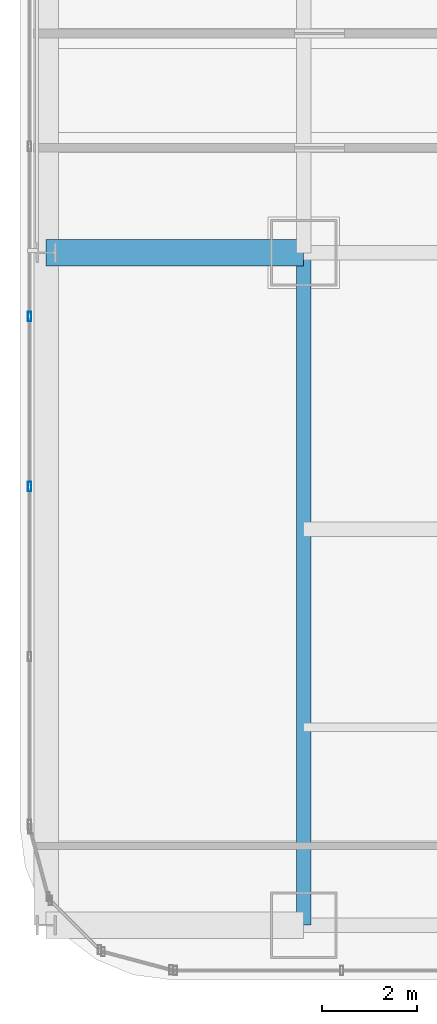
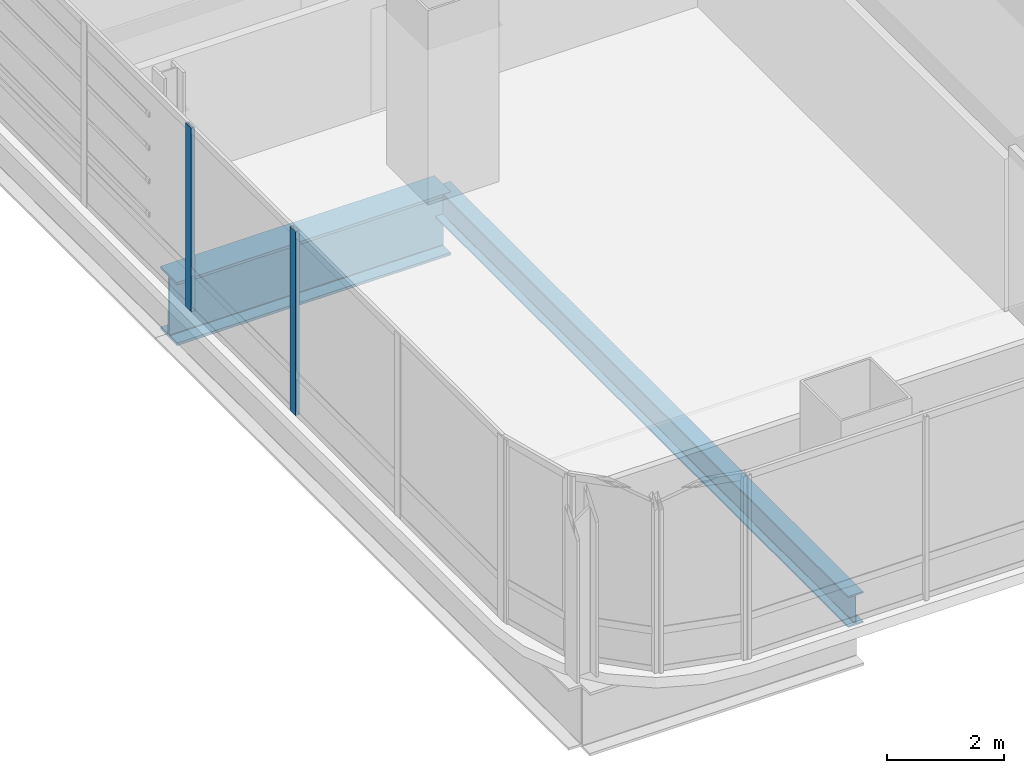
# One storey, part 5 of 38: 2 beams, 2 members, 1 element without a shape of its own.
"""IFC4 building model written with IfcOpenShell, lengths in metres."""

import ifcopenshell
import ifcopenshell.guid

model = None  # the IFC model being written
_history = None  # IfcOwnerHistory: only IFC2X3 demands one
_inside = {}  # id of a spatial element -> (the spatial element, [elements in it])
_under = {}  # id of a project, library or spatial element -> (it, [spatial elements below it])
_declared = {}  # id of a project -> (the project, [libraries it declares])
_typed = {}  # id of a type object -> (the type object, [elements of that type])
_made_of = {}  # id of a material, layer set ... -> (it, [elements and type objects made of it])


def new_model(schema):
    """Start an empty IFC model of exactly this schema.

    Asked for "IFC4X3", IfcOpenShell would pick the latest addendum, in which some entities
    have other attributes; the version numbers below select the first issue.
    IFC2X3 requires an IfcOwnerHistory on every rooted entity: one is made here for all.
    """
    global model, _history
    if schema == "IFC4X3":
        model = ifcopenshell.file(schema_version=(4, 3, 0, 0))
    else:
        model = ifcopenshell.file(schema=schema)
    _inside.clear()
    _under.clear()
    _declared.clear()
    _typed.clear()
    _made_of.clear()
    _history = None
    if model.schema == "IFC2X3":
        org = make("IfcOrganization", Name="unknown")
        user = make(
            "IfcPersonAndOrganization",
            ThePerson=make("IfcPerson", FamilyName="unknown"),
            TheOrganization=org,
        )
        app = make(
            "IfcApplication",
            ApplicationDeveloper=org,
            Version="unknown",
            ApplicationFullName="unknown",
            ApplicationIdentifier="unknown",
        )
        _history = make(
            "IfcOwnerHistory",
            OwningUser=user,
            OwningApplication=app,
            ChangeAction="ADDED",
            CreationDate=0,
        )
    return model


def make(cls, **values):
    """One entity of the class cls with the attributes given. An attribute that is None is left unset."""
    return model.create_entity(
        cls, **{name: value for name, value in values.items() if value is not None}
    )


def rooted(cls, **values):
    """An entity with a GlobalId (a new one), such as an element, a storey or a relation."""
    return make(cls, GlobalId=ifcopenshell.guid.new(), OwnerHistory=_history, **values)


def si_unit(unit_type, name, prefix=None):
    """IfcSIUnit, for example si_unit("LENGTHUNIT", "METRE", prefix="MILLI")."""
    return make("IfcSIUnit", UnitType=unit_type, Prefix=prefix, Name=name)


def assignment(units):
    """IfcUnitAssignment: the units of a project."""
    return None if units is None else make("IfcUnitAssignment", Units=units)


def point(xyz):
    """IfcCartesianPoint."""
    return None if xyz is None else make("IfcCartesianPoint", Coordinates=xyz)


def direction(xyz):
    """IfcDirection."""
    return None if xyz is None else make("IfcDirection", DirectionRatios=xyz)


def frame(location, z_axis=None, x_axis=None):
    """IfcAxis2Placement3D, a coordinate frame: its origin and axes. An axis left out is left unset."""
    return make(
        "IfcAxis2Placement3D",
        Location=point(location),
        Axis=direction(z_axis),
        RefDirection=direction(x_axis),
    )


def frame_2d(location, x_axis=None):
    """IfcAxis2Placement2D, a coordinate frame in the plane: its origin and x axis."""
    return make(
        "IfcAxis2Placement2D", Location=point(location), RefDirection=direction(x_axis)
    )


def origin():
    """The frame at (0, 0, 0) with its axes left unset."""
    return frame((0.0, 0.0, 0.0))


def origin_2d():
    """The frame at (0, 0) in the plane with its x axis left unset."""
    return frame_2d((0.0, 0.0))


def place(relative_to, where):
    """IfcLocalPlacement: puts the frame where relative to a parent placement (None: the world)."""
    return make(
        "IfcLocalPlacement", PlacementRelTo=relative_to, RelativePlacement=where
    )


def context(
    kind, dimensions, precision=None, world=None, true_north=None, identifier=None
):
    """IfcGeometricRepresentationContext, for example the 3D "Model" context."""
    return make(
        "IfcGeometricRepresentationContext",
        ContextIdentifier=identifier,
        ContextType=kind,
        CoordinateSpaceDimension=dimensions,
        Precision=precision,
        WorldCoordinateSystem=world,
        TrueNorth=true_north,
    )


def subcontext(parent, identifier, kind, view, scale=None):
    """IfcGeometricRepresentationSubContext, for example "Body" below "Model"."""
    return make(
        "IfcGeometricRepresentationSubContext",
        ContextIdentifier=identifier,
        ContextType=kind,
        ParentContext=parent,
        TargetScale=scale,
        TargetView=view,
    )


def project(units=None, contexts=None):
    """IfcProject with its units and contexts."""
    return rooted(
        "IfcProject",
        Name="project",
        RepresentationContexts=contexts,
        UnitsInContext=assignment(units),
    )


def spatial(cls, under=None, at=None, **own):
    """A site, building, storey or space (cls), placed at a placement, below another one or the project."""
    s = rooted(cls, ObjectPlacement=at, **own)
    if under is not None:
        _under.setdefault(under.id(), (under, []))[1].append(s)
    return s


def profile(cls, at=None, kind="AREA", **sizes):
    """A parametric profile (cls). Its sizes go by their IFC names, for example OverallWidth=200.0."""
    return make(cls, ProfileType=kind, Position=at, **sizes)


def hollow_rectangle(**sizes):
    """IfcRectangleHollowProfileDef."""
    return profile("IfcRectangleHollowProfileDef", **sizes)


def i_section(**sizes):
    """IfcIShapeProfileDef."""
    return profile("IfcIShapeProfileDef", **sizes)


def extrude(swept, where, along, depth):
    """IfcExtrudedAreaSolid: the profile swept, set in the frame where, extruded along a direction by depth."""
    return make(
        "IfcExtrudedAreaSolid",
        SweptArea=swept,
        Position=where,
        ExtrudedDirection=direction(along),
        Depth=depth,
    )


def shape(context_of_items, identifier, shape_type, items):
    """IfcShapeRepresentation: the items that make up one representation, for example the "Body"."""
    return make(
        "IfcShapeRepresentation",
        ContextOfItems=context_of_items,
        RepresentationIdentifier=identifier,
        RepresentationType=shape_type,
        Items=items,
    )


def material(Name=None, Category=None):
    """IfcMaterial."""
    return make("IfcMaterial", Name=Name, Category=Category)


def material_profile(
    of_material, cross_section, Name=None, Category=None, Priority=None
):
    """IfcMaterialProfile: a cross section and its material."""
    return make(
        "IfcMaterialProfile",
        Name=Name,
        Material=of_material,
        Profile=cross_section,
        Priority=Priority,
        Category=Category,
    )


def profile_set(profiles, Name=None, composite=None):
    """IfcMaterialProfileSet."""
    return make(
        "IfcMaterialProfileSet",
        Name=Name,
        MaterialProfiles=profiles,
        CompositeProfile=composite,
    )


def made_of(thing, what):
    """Note that an element or type object is made of a material, layer set ...; save() writes the relation."""
    if what is not None:
        _made_of.setdefault(what.id(), (what, []))[1].append(thing)
    return thing


def type_object(cls, material=None, **own):
    """A type object (cls), such as IfcWallType, which elements share."""
    return made_of(rooted(cls, **own), material)


def element(
    cls,
    number,
    at=None,
    inside=None,
    cuts=None,
    type_object=None,
    material=None,
    context=None,
    identifier="Body",
    shape_type=None,
    held_by="IfcProductDefinitionShape",
    body=None,
    shapes=None,
    **own,
):
    """One element of the class cls, such as IfcWall. Its Tag is "e" and its number.

    at: its placement. inside: the storey or other place that contains it. cuts: it is an
    opening in that element (IfcRelVoidsElement). A single representation is given by context,
    identifier, shape_type and body (its items); several are given by shapes. held_by: the class
    of the entity that holds the representations. save() writes the other relations.
    """
    e = rooted(cls, Tag="e%d" % number, ObjectPlacement=at, **own)
    if body is not None:
        shapes = [shape(context, identifier, shape_type, body)]
    if shapes is not None:
        e.Representation = make(held_by, Representations=shapes)
    if inside is not None:
        _inside.setdefault(inside.id(), (inside, []))[1].append(e)
    if cuts is not None:
        rooted(
            "IfcRelVoidsElement", RelatingBuildingElement=cuts, RelatedOpeningElement=e
        )
    if type_object is not None:
        _typed.setdefault(type_object.id(), (type_object, []))[1].append(e)
    return made_of(e, material)


def aggregate(whole, parts):
    """IfcRelAggregates: a whole, such as a stair, and the parts it consists of."""
    return rooted("IfcRelAggregates", RelatingObject=whole, RelatedObjects=parts)


def save(model, path):
    """Write the relations noted so far, then the file.

    IfcRelAggregates (storeys below a building ...), IfcRelContainedInSpatialStructure (elements
    in a storey), IfcRelDefinesByType, IfcRelAssociatesMaterial and IfcRelDeclares: one each for
    every whole, place, type object, material and project.
    """
    for whole, parts in _under.values():
        aggregate(whole, parts)
    for where, things in _inside.values():
        rooted(
            "IfcRelContainedInSpatialStructure",
            RelatedElements=things,
            RelatingStructure=where,
        )
    for kind, things in _typed.values():
        rooted("IfcRelDefinesByType", RelatedObjects=things, RelatingType=kind)
    for what, things in _made_of.values():
        rooted("IfcRelAssociatesMaterial", RelatedObjects=things, RelatingMaterial=what)
    for by, libraries in _declared.values():
        rooted("IfcRelDeclares", RelatingContext=by, RelatedDefinitions=libraries)
    model.write(path)


model = new_model("IFC4")

# Units and contexts
model_context = context("Model", 3, precision=1e-05, world=origin(), true_north=direction((0.0, 1.0)))
body_context = subcontext(model_context, "Body", "Model", "MODEL_VIEW")
ifc_project = project(units=[si_unit("LENGTHUNIT", "METRE"), si_unit("AREAUNIT", "SQUARE_METRE"), si_unit("VOLUMEUNIT", "CUBIC_METRE"), si_unit("PLANEANGLEUNIT", "RADIAN"), si_unit("MASSUNIT", "GRAM", prefix="KILO")], contexts=[model_context])

# Site, building, storey
site_placement = place(None, origin())
site = spatial("IfcSite", under=ifc_project, at=site_placement, CompositionType="ELEMENT")
building_placement = place(site_placement, origin())
building = spatial("IfcBuilding", under=site, at=building_placement, Name="Punatoya Terracotta Tower", CompositionType="ELEMENT")
storey_placement = place(building_placement, frame((0.0, 0.0, 147.89990234375)))
storey = spatial("IfcBuildingStorey", under=building, at=storey_placement, Name="L34", CompositionType="ELEMENT", Elevation=147.89990234375)

# Beams
ifc_material_1 = material(Name="Steel S355", Category="steel")
ifc_material_profile_1 = material_profile(ifc_material_1, i_section(OverallWidth=0.300048828125, OverallDepth=0.64990234375, WebThickness=0.01611328125, FlangeThickness=0.031005859375, FilletRadius=0.01806640625, at=origin_2d()))
ifc_profile_set_1 = profile_set([ifc_material_profile_1], Name="Steel S355")
beam_type_1 = type_object("IfcBeamType", Name="BM-PRI-650", PredefinedType="BEAM", material=ifc_profile_set_1)
beam_1_placement = place(storey_placement, frame((-19.10009765625, -17.5, -0.544921875), z_axis=(0.0, 1.0, 0.0), x_axis=(-1.0, 0.0, 0.0)))
element("IfcBeam", 1, at=beam_1_placement, inside=storey, type_object=beam_type_1, Name="BM-L34-RG-W1", PredefinedType="BEAM", context=body_context, shape_type="SweptSolid", body=[
    extrude(i_section(OverallWidth=0.300048828125, OverallDepth=0.64990234375, WebThickness=0.01611328125, FlangeThickness=0.031005859375, FilletRadius=0.01806640625, at=origin_2d()), origin(), (0.0, 0.0, 1.0), 14.10009765625),
])
ifc_material_2 = material(Name="Steel S460", Category="steel")
ifc_material_profile_2 = material_profile(ifc_material_2, i_section(OverallWidth=0.56005859375, OverallDepth=1.320068359375, WebThickness=0.035888671875, FlangeThickness=0.054931640625, FilletRadius=0.01806640625, at=origin_2d()))
ifc_profile_set_2 = profile_set([ifc_material_profile_2], Name="Steel S460")
beam_type_2 = type_object("IfcBeamType", Name="BM-TG-BLK", PredefinedType="BEAM", material=ifc_profile_set_2)
beam_2_placement = place(storey_placement, frame((-24.5, -3.39990234375, -0.8798828125), z_axis=(1.0, 0.0, 0.0), x_axis=(0.0, 1.0, 0.0)))
element("IfcBeam", 2, at=beam_2_placement, inside=storey, type_object=beam_type_2, Name="BM-L34-CANT-W2", PredefinedType="BEAM", context=body_context, shape_type="SweptSolid", body=[
    extrude(i_section(OverallWidth=0.56005859375, OverallDepth=1.320068359375, WebThickness=0.035888671875, FlangeThickness=0.054931640625, FilletRadius=0.01806640625, at=origin_2d()), origin(), (0.0, 0.0, 1.0), 5.39990234375),
])

# Curtain wall, members
ifc_material_3 = material(Name="Aluminium 6063-T6 + Double Low-E Glass", Category="aluminium")
curtain_wall_type = type_object("IfcCurtainWallType", Name="CW-M2", PredefinedType="NOTDEFINED", material=ifc_material_3)
curtain_wall_placement = place(storey_placement, origin())
curtain_wall = element("IfcCurtainWall", 3, at=curtain_wall_placement, inside=storey, type_object=curtain_wall_type, Name="L34 Curtain Wall CW-L34-W13-1", PredefinedType="NOTDEFINED")
ifc_material_4 = material(Name="Aluminium 6063-T6", Category="aluminium")
ifc_material_profile_3 = material_profile(ifc_material_4, hollow_rectangle(XDim=0.072021484375, YDim=0.195068359375, WallThickness=0.00439453125, at=origin_2d()))
ifc_profile_set_3 = profile_set([ifc_material_profile_3], Name="Aluminium 6063-T6")
member_type = type_object("IfcMemberType", Name="CW-MUL-M2", PredefinedType="MULLION", material=ifc_profile_set_3)
member_1_placement = place(storey_placement, frame((-24.85009765625, -4.73486328125, 0.0), z_axis=(0.0, 0.0, 1.0), x_axis=(1.0, 0.0, 0.0)))
member_1 = element("IfcMember", 4, at=member_1_placement, type_object=member_type, Name="CW-L34-W13-1 Mullion 07", PredefinedType="MULLION", context=body_context, shape_type="SweptSolid", body=[
    extrude(hollow_rectangle(XDim=0.072021484375, YDim=0.195068359375, WallThickness=0.00439453125, at=origin_2d()), origin(), (0.0, 0.0, 1.0), 3.830078125),
])
member_2_placement = place(storey_placement, frame((-24.85009765625, -8.302001953125, 0.0), z_axis=(0.0, 0.0, 1.0), x_axis=(1.0, 0.0, 0.0)))
member_2 = element("IfcMember", 5, at=member_2_placement, type_object=member_type, Name="CW-L34-W13-1 Mullion 08", PredefinedType="MULLION", context=body_context, shape_type="SweptSolid", body=[
    extrude(hollow_rectangle(XDim=0.072021484375, YDim=0.195068359375, WallThickness=0.00439453125, at=origin_2d()), origin(), (0.0, 0.0, 1.0), 3.830078125),
])
aggregate(curtain_wall, [member_1, member_2])

save(model, "model.ifc")
